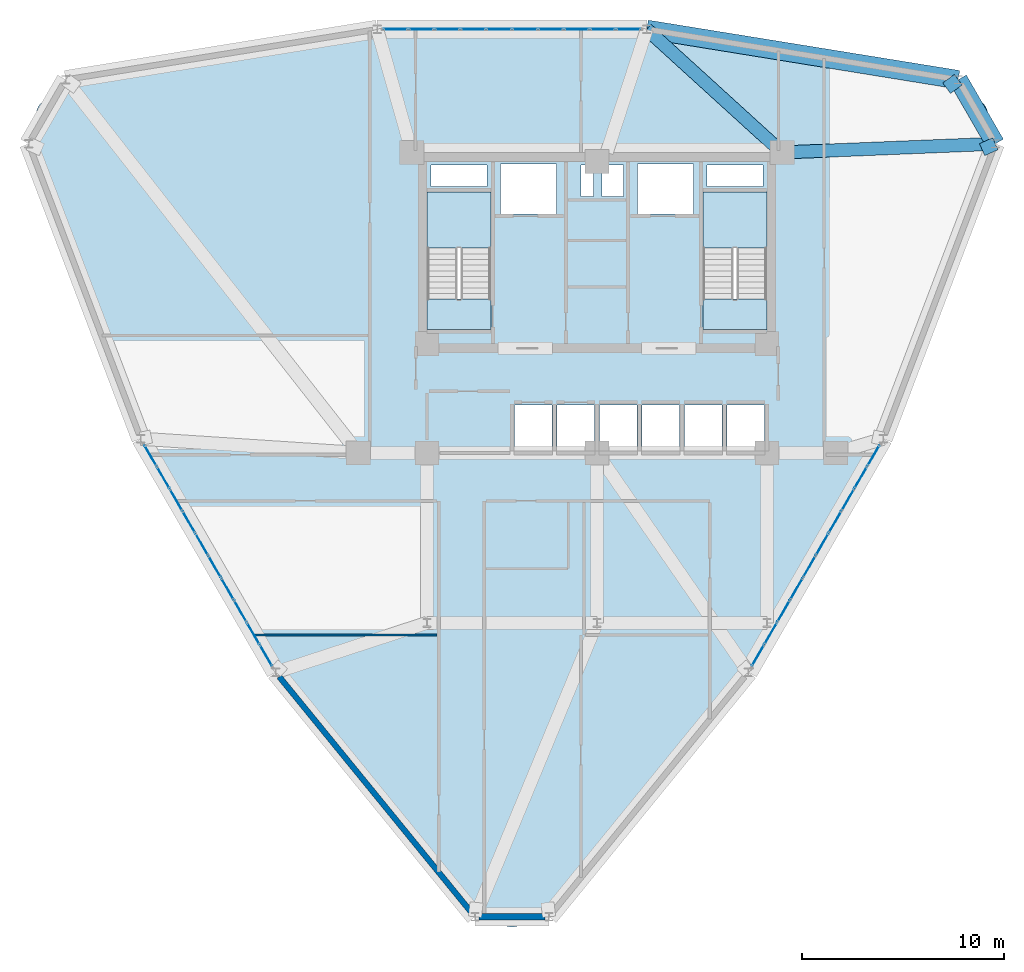
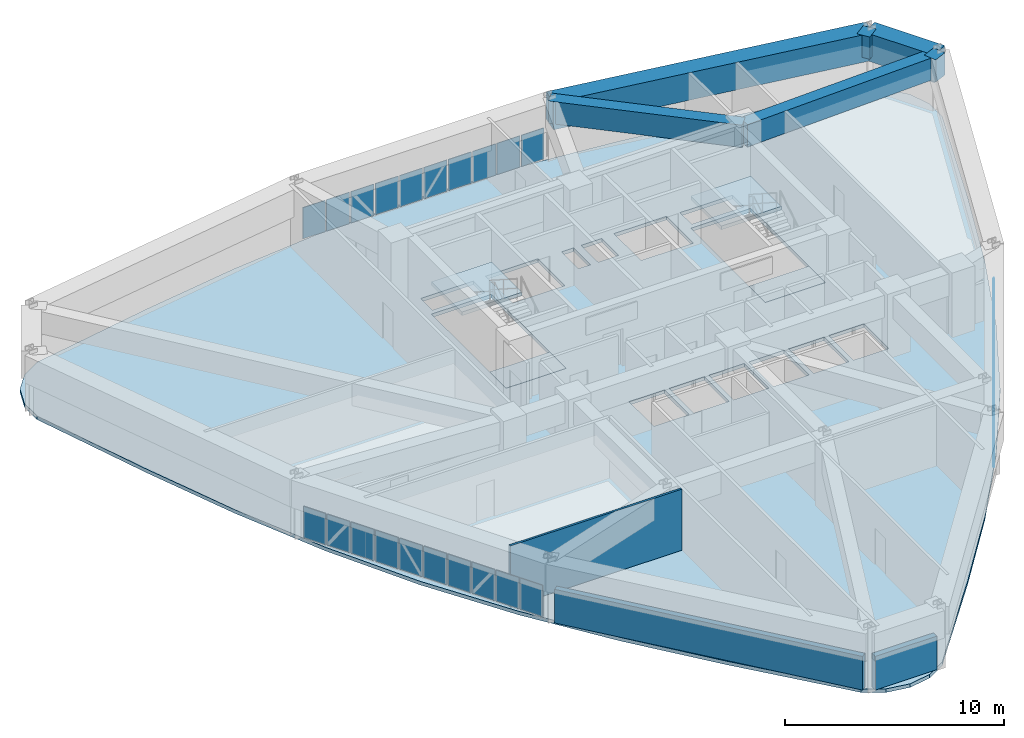
# One storey, part 11 of 16: 30 plates, 6 beams, 5 slabs, 3 walls, 5 elements without a shape of their own.
"""IFC4 building model written with IfcOpenShell, lengths in metres."""

from ifc_helpers import new_model, si_unit, derived_unit, direction, frame, frame_2d, origin, origin_2d, place, context, subcontext, project, spatial, polyline, rectangle, outline, extrude, source, transform, mapped, material, layer, layer_set, material_profile, profile_set, type_object, element, aggregate, save


model = new_model("IFC4")

# Units and contexts
model_context = context("Model", 3, precision=1e-05, world=origin(), true_north=direction((0.0, 1.0)))
body_context = subcontext(model_context, "Body", "Model", "MODEL_VIEW")
ifc_project = project(units=[si_unit("LENGTHUNIT", "METRE"), si_unit("AREAUNIT", "SQUARE_METRE"), si_unit("VOLUMEUNIT", "CUBIC_METRE"), si_unit("PLANEANGLEUNIT", "RADIAN"), si_unit("MASSUNIT", "GRAM", prefix="KILO"), derived_unit("THERMALTRANSMITTANCEUNIT", [(si_unit("POWERUNIT", "WATT"), 1), (si_unit("LENGTHUNIT", "METRE"), -2), (si_unit("THERMODYNAMICTEMPERATUREUNIT", "KELVIN"), -1)])], contexts=[model_context])

# Site, building, storey
site_placement = place(None, origin())
site = spatial("IfcSite", under=ifc_project, at=site_placement, CompositionType="ELEMENT")
building_placement = place(site_placement, origin())
building = spatial("IfcBuilding", under=site, at=building_placement, Name="Korsvarv Bourse and Concert Hall", CompositionType="ELEMENT")
storey_placement = place(building_placement, frame((0.0, 0.0, 143.39990234375)))
storey = spatial("IfcBuildingStorey", under=building, at=storey_placement, Name="L36", CompositionType="ELEMENT", Elevation=143.39990234375)

# Beams
ifc_material_1 = material(Name="Concrete C50/60", Category="concrete")
ifc_material_profile_1 = material_profile(ifc_material_1, rectangle(XDim=0.919921875, YDim=1.530029296875, at=origin_2d()), Name="RC-BM 920x1530")
ifc_profile_set_1 = profile_set([ifc_material_profile_1], Name="Concrete C50/60")
beam_type_1 = type_object("IfcBeamType", Name="BM-TR-154", PredefinedType="BEAM", material=ifc_profile_set_1)
shared_shape_1 = source(origin(), body_context, "Body", "SweptSolid", [
    extrude(rectangle(XDim=0.919921875, YDim=1.530029296875, at=origin_2d()), origin(), (0.0, 0.0, 1.0), 3.659423828125),
])
beam_1_placement = place(storey_placement, frame((55.686279296875, 47.677978515625, 2.635009765625), z_axis=(-0.500049712553, 0.865996700326, 0.0), x_axis=(-0.865996700326, -0.500049712553, 0.0)))
element("IfcBeam", 1, at=beam_1_placement, inside=storey, type_object=beam_type_1, Name="L36 beam B-TR6", PredefinedType="BEAM", context=body_context, shape_type="MappedRepresentation", body=[
    mapped(shared_shape_1, transform((0.0, 0.0, 0.0), scale=1.0)),
])
shared_shape_2 = source(origin(), body_context, "Body", "SweptSolid", [
    extrude(rectangle(XDim=0.919921875, YDim=1.530029296875, at=origin_2d()), origin(), (0.0, 0.0, 1.0), 15.593017578125),
])
beam_2_placement = place(storey_placement, frame((53.8564453125, 50.846923828125, 2.635009765625), z_axis=(-0.987167652814, 0.159687273249, 0.0), x_axis=(-0.159687273249, -0.987167652814, 0.0)))
element("IfcBeam", 2, at=beam_2_placement, inside=storey, type_object=beam_type_1, Name="L36 beam B-TR6", PredefinedType="BEAM", context=body_context, shape_type="MappedRepresentation", body=[
    mapped(shared_shape_2, transform((0.0, 0.0, 0.0), scale=1.0)),
])
ifc_material_profile_2 = material_profile(ifc_material_1, rectangle(XDim=0.64990234375, YDim=1.239990234375, at=origin_2d()), Name="RC-BM 650x1240")
ifc_profile_set_2 = profile_set([ifc_material_profile_2], Name="Concrete C50/60")
beam_type_2 = type_object("IfcBeamType", Name="BM-TR-SPN", PredefinedType="BEAM", material=ifc_profile_set_2)
shared_shape_3 = source(origin(), body_context, "Body", "SweptSolid", [
    extrude(rectangle(XDim=0.64990234375, YDim=1.239990234375, at=origin_2d()), origin(), (0.0, 0.0, 1.0), 10.545166015625),
])
beam_3_placement = place(storey_placement, frame((55.686279296875, 47.677978515625, 2.780029296875), z_axis=(-0.999176062374, -0.040585667153, 0.0), x_axis=(0.040585667153, -0.999176062374, 0.0)))
element("IfcBeam", 3, at=beam_3_placement, inside=storey, type_object=beam_type_2, Name="L36 beam B-TRS", PredefinedType="BEAM", context=body_context, shape_type="MappedRepresentation", body=[
    mapped(shared_shape_3, transform((0.0, 0.0, 0.0), scale=1.0)),
])
shared_shape_4 = source(origin(), body_context, "Body", "SweptSolid", [
    extrude(rectangle(XDim=0.64990234375, YDim=1.239990234375, at=origin_2d()), origin(), (0.0, 0.0, 1.0), 9.0419921875),
])
beam_4_placement = place(storey_placement, frame((38.463623046875, 53.3369140625, 2.780029296875), z_axis=(0.739473183203, -0.673186015395, 0.0), x_axis=(0.673186015395, 0.739473183203, 0.0)))
element("IfcBeam", 4, at=beam_4_placement, inside=storey, type_object=beam_type_2, Name="L36 beam B-TRS", PredefinedType="BEAM", context=body_context, shape_type="MappedRepresentation", body=[
    mapped(shared_shape_4, transform((0.0, 0.0, 0.0), scale=1.0)),
])
shared_shape_5 = source(origin(), body_context, "Body", "SweptSolid", [
    extrude(rectangle(XDim=0.64990234375, YDim=1.239990234375, at=origin_2d()), origin(), (0.0, 0.0, 1.0), 0.713134765625),
])
beam_5_placement = place(storey_placement, frame((55.686279296875, 47.677978515625, 2.780029296875), z_axis=(-0.914895485844, -0.403690785109, 0.0), x_axis=(0.403690785109, -0.914895485844, 0.0)))
element("IfcBeam", 5, at=beam_5_placement, inside=storey, type_object=beam_type_2, Name="L36 beam B-TRS", PredefinedType="BEAM", context=body_context, shape_type="MappedRepresentation", body=[
    mapped(shared_shape_5, transform((0.0, 0.0, 0.0), scale=1.0)),
])
shared_shape_6 = source(origin(), body_context, "Body", "SweptSolid", [
    extrude(rectangle(XDim=0.64990234375, YDim=1.239990234375, at=origin_2d()), origin(), (0.0, 0.0, 1.0), 0.712890625),
])
beam_6_placement = place(storey_placement, frame((53.8564453125, 50.846923828125, 2.780029296875), z_axis=(-0.807296979427, -0.590145394804, 0.0), x_axis=(0.590145394804, -0.807296979427, 0.0)))
element("IfcBeam", 6, at=beam_6_placement, inside=storey, type_object=beam_type_2, Name="L36 beam B-TRS", PredefinedType="BEAM", context=body_context, shape_type="MappedRepresentation", body=[
    mapped(shared_shape_6, transform((0.0, 0.0, 0.0), scale=1.0)),
])

# Slabs
ifc_material_2 = material(Name="Precast concrete C45/55", Category="concrete")
ifc_layer_1 = layer(ifc_material_2, 0.199951171875)
ifc_layer_set_1 = layer_set([ifc_layer_1], Name="Precast concrete C45/55")
slab_type_1 = type_object("IfcSlabType", Name="SLB-FLND-T", PredefinedType="LANDING", material=ifc_layer_set_1)
slab_1_placement = place(storey_placement, frame((0.0, 0.0, -0.199951171875)))
element("IfcSlab", 7, at=slab_1_placement, inside=storey, type_object=slab_type_1, Name="L36 Stair ST-T1 Floor Landing Slab", PredefinedType="LANDING", context=body_context, shape_type="SweptSolid", body=[
    extrude(outline(polyline([(30.760009765625, 38.5), (30.760009765625, 40.0), (27.60009765625, 40.0), (27.60009765625, 38.5), (30.760009765625, 38.5)])), origin(), (0.0, 0.0, 1.0), 0.199951171875),
])
slab_2_placement = place(storey_placement, frame((0.0, 0.0, -0.199951171875)))
element("IfcSlab", 8, at=slab_2_placement, inside=storey, type_object=slab_type_1, Name="L36 Stair ST-T2 Floor Landing Slab", PredefinedType="LANDING", context=body_context, shape_type="SweptSolid", body=[
    extrude(outline(polyline([(44.39990234375, 38.5), (44.39990234375, 40.0), (41.239990234375, 40.0), (41.239990234375, 38.5), (44.39990234375, 38.5)])), origin(), (0.0, 0.0, 1.0), 0.199951171875),
])

# Stair, slab
stair_type = type_object("IfcStairType", Name="STR-TYPE-04", PredefinedType="HALF_TURN_STAIR", material=ifc_material_2)
stair_1_placement = place(storey_placement, origin())
stair_1 = element("IfcStair", 9, at=stair_1_placement, inside=storey, type_object=stair_type, Name="L36 Tower West Exit Stair ST-T1", PredefinedType="HALF_TURN_STAIR")
ifc_layer_2 = layer(ifc_material_2, 0.199951171875)
ifc_layer_set_2 = layer_set([ifc_layer_2], Name="Precast concrete C45/55")
slab_type_2 = type_object("IfcSlabType", Name="SLB-ST-LND", PredefinedType="LANDING", material=ifc_layer_set_2)
slab_3_placement = place(storey_placement, frame((0.0, 0.0, 1.60009765625)))
slab_3 = element("IfcSlab", 10, at=slab_3_placement, type_object=slab_type_2, Name="ST-T1 landing 1", PredefinedType="LANDING", context=body_context, shape_type="SweptSolid", body=[
    extrude(outline(polyline([(30.760009765625, 42.52001953125), (30.760009765625, 45.300048828125), (27.60009765625, 45.300048828125), (27.60009765625, 42.52001953125), (30.760009765625, 42.52001953125)])), origin(), (0.0, 0.0, 1.0), 0.199951171875),
])
aggregate(stair_1, [slab_3])

stair_2_placement = place(storey_placement, origin())
stair_2 = element("IfcStair", 11, at=stair_2_placement, inside=storey, type_object=stair_type, Name="L36 Tower East Exit Stair ST-T2", PredefinedType="HALF_TURN_STAIR")
slab_4_placement = place(storey_placement, frame((0.0, 0.0, 1.60009765625)))
slab_4 = element("IfcSlab", 12, at=slab_4_placement, type_object=slab_type_2, Name="ST-T2 landing 1", PredefinedType="LANDING", context=body_context, shape_type="SweptSolid", body=[
    extrude(outline(polyline([(44.39990234375, 42.52001953125), (44.39990234375, 45.300048828125), (41.239990234375, 45.300048828125), (41.239990234375, 42.52001953125), (44.39990234375, 42.52001953125)])), origin(), (0.0, 0.0, 1.0), 0.199951171875),
])
aggregate(stair_2, [slab_4])

# Slab
ifc_material_3 = material(Name="Concrete C45/55", Category="concrete")
ifc_layer_3 = layer(ifc_material_3, 0.199951171875)
ifc_layer_set_3 = layer_set([ifc_layer_3], Name="Concrete C45/55")
slab_type_3 = type_object("IfcSlabType", Name="SLB-TW2", PredefinedType="FLOOR", material=ifc_layer_set_3)
slab_5_placement = place(storey_placement, frame((0.0, 0.0, -0.199951171875)))
element("IfcSlab", 13, at=slab_5_placement, inside=storey, type_object=slab_type_3, Name="L36 tower structural floor slab", PredefinedType="FLOOR", context=body_context, shape_type="SweptSolid", body=[
    extrude(outline(polyline([(55.160888671875, 46.032958984375), (53.404052734375, 41.13525390625), (51.532958984375, 36.328857421875), (49.444091796875, 31.668212890625), (47.06689453125, 27.185546875), (44.373291015625, 22.8857421875), (41.381591796875, 18.746337890625), (38.15478515625, 14.722900390625), (34.79150390625, 10.75244140625), (34.7890625, 10.749267578125), (33.944580078125, 9.742919921875), (32.941162109375, 9.16357421875), (31.800048828125, 8.96240234375), (30.658935546875, 9.16357421875), (29.655517578125, 9.742919921875), (28.81103515625, 10.749267578125), (28.808349609375, 10.75244140625), (25.4453125, 14.722900390625), (22.218505859375, 18.746337890625), (19.2265625, 22.8857421875), (16.533203125, 27.185546875), (14.156005859375, 31.668212890625), (12.067138671875, 36.328857421875), (10.196044921875, 41.13525390625), (8.439208984375, 46.032958984375), (8.437744140625, 46.036865234375), (7.98828125, 47.271484375), (7.98828125, 48.429931640625), (8.384765625, 49.518798828125), (9.12939453125, 50.406494140625), (10.1328125, 50.985595703125), (11.4267578125, 51.2138671875), (11.430908203125, 51.214599609375), (16.55078125, 52.14208984375), (21.648681640625, 52.9248046875), (26.729248046875, 53.446044921875), (31.800048828125, 53.628662109375), (36.87060546875, 53.446044921875), (41.951171875, 52.9248046875), (47.04931640625, 52.14208984375), (52.169189453125, 51.214599609375), (52.173095703125, 51.2138671875), (53.467041015625, 50.985595703125), (54.470458984375, 50.406494140625), (55.21533203125, 49.518798828125), (55.611572265625, 48.429931640625), (55.611572265625, 47.271484375), (55.162109375, 46.036865234375), (55.160888671875, 46.032958984375)]), holes=[polyline([(30.760009765625, 38.5), (30.760009765625, 45.300048828125), (27.60009765625, 45.300048828125), (27.60009765625, 38.5), (30.760009765625, 38.5)]), polyline([(44.39990234375, 38.5), (44.39990234375, 45.300048828125), (41.239990234375, 45.300048828125), (41.239990234375, 38.5), (44.39990234375, 38.5)]), polyline([(31.239990234375, 44.219970703125), (34.0, 44.219970703125), (34.0, 46.679931640625), (31.239990234375, 46.679931640625), (31.239990234375, 44.219970703125)]), polyline([(38.0, 44.219970703125), (40.760009765625, 44.219970703125), (40.760009765625, 46.679931640625), (38.0, 46.679931640625), (38.0, 44.219970703125)]), polyline([(31.919921875, 32.52001953125), (33.780029296875, 32.52001953125), (33.780029296875, 34.780029296875), (31.919921875, 34.780029296875), (31.919921875, 32.52001953125)]), polyline([(34.02001953125, 32.52001953125), (35.8798828125, 32.52001953125), (35.8798828125, 34.780029296875), (34.02001953125, 34.780029296875), (34.02001953125, 32.52001953125)]), polyline([(36.1201171875, 32.52001953125), (37.97998046875, 32.52001953125), (37.97998046875, 34.780029296875), (36.1201171875, 34.780029296875), (36.1201171875, 32.52001953125)]), polyline([(38.219970703125, 32.52001953125), (40.080078125, 32.52001953125), (40.080078125, 34.780029296875), (38.219970703125, 34.780029296875), (38.219970703125, 32.52001953125)]), polyline([(40.320068359375, 32.52001953125), (42.179931640625, 32.52001953125), (42.179931640625, 34.780029296875), (40.320068359375, 34.780029296875), (40.320068359375, 32.52001953125)]), polyline([(42.419921875, 32.52001953125), (44.280029296875, 32.52001953125), (44.280029296875, 34.780029296875), (42.419921875, 34.780029296875), (42.419921875, 32.52001953125)]), polyline([(27.800048828125, 45.56005859375), (30.56005859375, 45.56005859375), (30.56005859375, 46.6201171875), (27.800048828125, 46.6201171875), (27.800048828125, 45.56005859375)]), polyline([(41.43994140625, 45.56005859375), (44.199951171875, 45.56005859375), (44.199951171875, 46.6201171875), (41.43994140625, 46.6201171875), (41.43994140625, 45.56005859375)]), polyline([(35.199951171875, 45.080078125), (35.840087890625, 45.080078125), (35.840087890625, 46.6201171875), (35.199951171875, 46.6201171875), (35.199951171875, 45.080078125)]), polyline([(36.239990234375, 45.080078125), (37.320068359375, 45.080078125), (37.320068359375, 46.6201171875), (36.239990234375, 46.6201171875), (36.239990234375, 45.080078125)])]), origin(), (0.0, 0.0, 1.0), 0.199951171875),
])

# Curtain wall, plates
ifc_material_4 = material(Name="Anodised aluminium and triple low-E glazing", Category="glass")
ifc_layer_4 = layer(ifc_material_4, 0.2099609375)
ifc_layer_set_4 = layer_set([ifc_layer_4], Name="Anodised aluminium and triple low-E glazing")
curtain_wall_type = type_object("IfcCurtainWallType", Name="CW-SYS-2", PredefinedType="NOTDEFINED", material=ifc_layer_set_4)
curtain_wall_1_placement = place(storey_placement, origin())
curtain_wall_1 = element("IfcCurtainWall", 14, at=curtain_wall_1_placement, inside=storey, type_object=curtain_wall_type, Name="L36 CW2 curtain wall CW-L36-F03", PredefinedType="NOTDEFINED")
ifc_material_5 = material(Name="Tempered triple insulated low-E architectural glass", Category="glass")
ifc_layer_5 = layer(ifc_material_5, 0.0380859375)
ifc_layer_set_5 = layer_set([ifc_layer_5], Name="Tempered triple insulated low-E architectural glass")
plate_type_1 = type_object("IfcPlateType", Name="CWP-VIS2", PredefinedType="CURTAIN_PANEL", material=ifc_layer_set_5)
shared_shape_7 = source(origin(), body_context, "Body", "SweptSolid", [
    extrude(rectangle(XDim=1.176513671875, YDim=0.0380859375, at=origin_2d()), origin(), (0.0, 0.0, 1.0), 1.739990234375),
])
plate_1_placement = place(storey_placement, frame((37.54931640625, 53.3369140625, 0.06494140625), z_axis=(0.0, 0.0, 1.0), x_axis=(-1.0, 0.0, 0.0)))
plate_1 = element("IfcPlate", 15, at=plate_1_placement, type_object=plate_type_1, Name="CW2 faceted panel 1.1", PredefinedType="CURTAIN_PANEL", context=body_context, shape_type="MappedRepresentation", body=[
    mapped(shared_shape_7, transform((0.0, 0.0, 0.0), scale=1.0)),
])
plate_2_placement = place(storey_placement, frame((26.050537109375, 53.3369140625, 0.06494140625), z_axis=(0.0, 0.0, 1.0), x_axis=(-1.0, 0.0, 0.0)))
plate_2 = element("IfcPlate", 16, at=plate_2_placement, type_object=plate_type_1, Name="CW2 faceted panel 10.1", PredefinedType="CURTAIN_PANEL", context=body_context, shape_type="MappedRepresentation", body=[
    mapped(shared_shape_7, transform((0.0, 0.0, 0.0), scale=1.0)),
])
ifc_material_6 = material(Name="Insulated spandrel glass", Category="glass")
ifc_layer_6 = layer(ifc_material_6, 0.031982421875)
ifc_layer_set_6 = layer_set([ifc_layer_6], Name="Insulated spandrel glass")
plate_type_2 = type_object("IfcPlateType", Name="CWP-SPD1", PredefinedType="CURTAIN_PANEL", material=ifc_layer_set_6)
shared_shape_8 = source(origin(), body_context, "Body", "SweptSolid", [
    extrude(rectangle(XDim=1.21142578125, YDim=0.031982421875, at=origin_2d()), origin(), (0.0, 0.0, 1.0), 1.739990234375),
])
plate_3_placement = place(storey_placement, frame((36.285400390625, 53.3369140625, 0.06494140625), z_axis=(0.0, 0.0, 1.0), x_axis=(-1.0, 0.0, 0.0)))
plate_3 = element("IfcPlate", 17, at=plate_3_placement, type_object=plate_type_2, Name="CW2 spandrel shadow-box panel 2.1", PredefinedType="CURTAIN_PANEL", context=body_context, shape_type="MappedRepresentation", body=[
    mapped(shared_shape_8, transform((0.0, 0.0, 0.0), scale=1.0)),
])
plate_4_placement = place(storey_placement, frame((32.440673828125, 53.3369140625, 0.06494140625), z_axis=(0.0, 0.0, 1.0), x_axis=(-1.0, 0.0, 0.0)))
plate_4 = element("IfcPlate", 18, at=plate_4_placement, type_object=plate_type_2, Name="CW2 spandrel shadow-box panel 5.1", PredefinedType="CURTAIN_PANEL", context=body_context, shape_type="MappedRepresentation", body=[
    mapped(shared_shape_8, transform((0.0, 0.0, 0.0), scale=1.0)),
])
plate_5_placement = place(storey_placement, frame((28.59619140625, 53.3369140625, 0.06494140625), z_axis=(0.0, 0.0, 1.0), x_axis=(-1.0, 0.0, 0.0)))
plate_5 = element("IfcPlate", 19, at=plate_5_placement, type_object=plate_type_2, Name="CW2 spandrel shadow-box panel 8.1", PredefinedType="CURTAIN_PANEL", context=body_context, shape_type="MappedRepresentation", body=[
    mapped(shared_shape_8, transform((0.0, 0.0, 0.0), scale=1.0)),
])
shared_shape_9 = source(origin(), body_context, "Body", "SweptSolid", [
    extrude(rectangle(XDim=1.21142578125, YDim=0.0380859375, at=origin_2d()), origin(), (0.0, 0.0, 1.0), 1.739990234375),
])
plate_6_placement = place(storey_placement, frame((35.00390625, 53.3369140625, 0.06494140625), z_axis=(0.0, 0.0, 1.0), x_axis=(-1.0, 0.0, 0.0)))
plate_6 = element("IfcPlate", 20, at=plate_6_placement, type_object=plate_type_1, Name="CW2 faceted panel 3.1", PredefinedType="CURTAIN_PANEL", context=body_context, shape_type="MappedRepresentation", body=[
    mapped(shared_shape_9, transform((0.0, 0.0, 0.0), scale=1.0)),
])
plate_7_placement = place(storey_placement, frame((33.722412109375, 53.3369140625, 0.06494140625), z_axis=(0.0, 0.0, 1.0), x_axis=(-1.0, 0.0, 0.0)))
plate_7 = element("IfcPlate", 21, at=plate_7_placement, type_object=plate_type_1, Name="CW2 faceted panel 4.1", PredefinedType="CURTAIN_PANEL", context=body_context, shape_type="MappedRepresentation", body=[
    mapped(shared_shape_9, transform((0.0, 0.0, 0.0), scale=1.0)),
])
plate_8_placement = place(storey_placement, frame((31.1591796875, 53.3369140625, 0.06494140625), z_axis=(0.0, 0.0, 1.0), x_axis=(-1.0, 0.0, 0.0)))
plate_8 = element("IfcPlate", 22, at=plate_8_placement, type_object=plate_type_1, Name="CW2 faceted panel 6.1", PredefinedType="CURTAIN_PANEL", context=body_context, shape_type="MappedRepresentation", body=[
    mapped(shared_shape_9, transform((0.0, 0.0, 0.0), scale=1.0)),
])
plate_9_placement = place(storey_placement, frame((29.877685546875, 53.3369140625, 0.06494140625), z_axis=(0.0, 0.0, 1.0), x_axis=(-1.0, 0.0, 0.0)))
plate_9 = element("IfcPlate", 23, at=plate_9_placement, type_object=plate_type_1, Name="CW2 faceted panel 7.1", PredefinedType="CURTAIN_PANEL", context=body_context, shape_type="MappedRepresentation", body=[
    mapped(shared_shape_9, transform((0.0, 0.0, 0.0), scale=1.0)),
])
plate_10_placement = place(storey_placement, frame((27.314697265625, 53.3369140625, 0.06494140625), z_axis=(0.0, 0.0, 1.0), x_axis=(-1.0, 0.0, 0.0)))
plate_10 = element("IfcPlate", 24, at=plate_10_placement, type_object=plate_type_1, Name="CW2 faceted panel 9.1", PredefinedType="CURTAIN_PANEL", context=body_context, shape_type="MappedRepresentation", body=[
    mapped(shared_shape_9, transform((0.0, 0.0, 0.0), scale=1.0)),
])
aggregate(curtain_wall_1, [plate_1, plate_3, plate_6, plate_7, plate_4, plate_8, plate_9, plate_5, plate_10, plate_2])

curtain_wall_2_placement = place(storey_placement, origin())
curtain_wall_2 = element("IfcCurtainWall", 25, at=curtain_wall_2_placement, inside=storey, type_object=curtain_wall_type, Name="L36 CW2 curtain wall CW-L36-F07", PredefinedType="NOTDEFINED")
shared_shape_10 = source(origin(), body_context, "Body", "SweptSolid", [
    extrude(rectangle(XDim=1.166015625, YDim=0.0380859375, at=origin_2d()), origin(), (0.0, 0.0, 1.0), 1.739990234375),
])
plate_11_placement = place(storey_placement, frame((13.934814453125, 32.26953125, 0.06494140625), z_axis=(0.0, 0.0, 1.0), x_axis=(0.500000329688, -0.866025213439, 0.0)))
plate_11 = element("IfcPlate", 26, at=plate_11_placement, type_object=plate_type_1, Name="CW2 faceted panel 1.1", PredefinedType="CURTAIN_PANEL", context=body_context, shape_type="MappedRepresentation", body=[
    mapped(shared_shape_10, transform((0.0, 0.0, 0.0), scale=1.0)),
])
plate_12_placement = place(storey_placement, frame((19.63671875, 22.3935546875, 0.06494140625), z_axis=(0.0, 0.0, 1.0), x_axis=(0.500000329688, -0.866025213439, 0.0)))
plate_12 = element("IfcPlate", 27, at=plate_12_placement, type_object=plate_type_1, Name="CW2 faceted panel 10.1", PredefinedType="CURTAIN_PANEL", context=body_context, shape_type="MappedRepresentation", body=[
    mapped(shared_shape_10, transform((0.0, 0.0, 0.0), scale=1.0)),
])

curtain_wall_3_placement = place(storey_placement, origin())
curtain_wall_3 = element("IfcCurtainWall", 28, at=curtain_wall_3_placement, inside=storey, type_object=curtain_wall_type, Name="L36 CW2 curtain wall CW-L36-F11", PredefinedType="NOTDEFINED")
plate_13_placement = place(storey_placement, frame((43.96337890625, 22.3935546875, 0.06494140625), z_axis=(0.0, 0.0, 1.0), x_axis=(0.500000329688, 0.866025213439, 0.0)))
plate_13 = element("IfcPlate", 29, at=plate_13_placement, type_object=plate_type_1, Name="CW2 faceted panel 1.1", PredefinedType="CURTAIN_PANEL", context=body_context, shape_type="MappedRepresentation", body=[
    mapped(shared_shape_10, transform((0.0, 0.0, 0.0), scale=1.0)),
])
plate_14_placement = place(storey_placement, frame((49.665283203125, 32.26953125, 0.06494140625), z_axis=(0.0, 0.0, 1.0), x_axis=(0.500000329688, 0.866025213439, 0.0)))
plate_14 = element("IfcPlate", 30, at=plate_14_placement, type_object=plate_type_1, Name="CW2 faceted panel 10.1", PredefinedType="CURTAIN_PANEL", context=body_context, shape_type="MappedRepresentation", body=[
    mapped(shared_shape_10, transform((0.0, 0.0, 0.0), scale=1.0)),
])

# Plate
shared_shape_11 = source(origin(), body_context, "Body", "SweptSolid", [
    extrude(rectangle(XDim=1.200927734375, YDim=0.031982421875, at=origin_2d()), origin(), (0.0, 0.0, 1.0), 1.739990234375),
])
plate_15_placement = place(storey_placement, frame((14.5615234375, 31.183837890625, 0.06494140625), z_axis=(0.0, 0.0, 1.0), x_axis=(0.500000329688, -0.866025213439, 0.0)))
plate_15 = element("IfcPlate", 31, at=plate_15_placement, type_object=plate_type_2, Name="CW2 spandrel shadow-box panel 2.1", PredefinedType="CURTAIN_PANEL", context=body_context, shape_type="MappedRepresentation", body=[
    mapped(shared_shape_11, transform((0.0, 0.0, 0.0), scale=1.0)),
])

plate_16_placement = place(storey_placement, frame((16.468017578125, 27.8818359375, 0.06494140625), z_axis=(0.0, 0.0, 1.0), x_axis=(0.500000329688, -0.866025213439, 0.0)))
plate_16 = element("IfcPlate", 32, at=plate_16_placement, type_object=plate_type_2, Name="CW2 spandrel shadow-box panel 5.1", PredefinedType="CURTAIN_PANEL", context=body_context, shape_type="MappedRepresentation", body=[
    mapped(shared_shape_11, transform((0.0, 0.0, 0.0), scale=1.0)),
])

plate_17_placement = place(storey_placement, frame((18.37451171875, 24.579833984375, 0.06494140625), z_axis=(0.0, 0.0, 1.0), x_axis=(0.500000329688, -0.866025213439, 0.0)))
plate_17 = element("IfcPlate", 33, at=plate_17_placement, type_object=plate_type_2, Name="CW2 spandrel shadow-box panel 8.1", PredefinedType="CURTAIN_PANEL", context=body_context, shape_type="MappedRepresentation", body=[
    mapped(shared_shape_11, transform((0.0, 0.0, 0.0), scale=1.0)),
])

plate_18_placement = place(storey_placement, frame((44.590087890625, 23.47900390625, 0.06494140625), z_axis=(0.0, 0.0, 1.0), x_axis=(0.500000329688, 0.866025213439, 0.0)))
plate_18 = element("IfcPlate", 34, at=plate_18_placement, type_object=plate_type_2, Name="CW2 spandrel shadow-box panel 2.1", PredefinedType="CURTAIN_PANEL", context=body_context, shape_type="MappedRepresentation", body=[
    mapped(shared_shape_11, transform((0.0, 0.0, 0.0), scale=1.0)),
])

plate_19_placement = place(storey_placement, frame((46.49658203125, 26.78125, 0.06494140625), z_axis=(0.0, 0.0, 1.0), x_axis=(0.500000329688, 0.866025213439, 0.0)))
plate_19 = element("IfcPlate", 35, at=plate_19_placement, type_object=plate_type_2, Name="CW2 spandrel shadow-box panel 5.1", PredefinedType="CURTAIN_PANEL", context=body_context, shape_type="MappedRepresentation", body=[
    mapped(shared_shape_11, transform((0.0, 0.0, 0.0), scale=1.0)),
])

plate_20_placement = place(storey_placement, frame((48.403076171875, 30.083251953125, 0.06494140625), z_axis=(0.0, 0.0, 1.0), x_axis=(0.500000329688, 0.866025213439, 0.0)))
plate_20 = element("IfcPlate", 36, at=plate_20_placement, type_object=plate_type_2, Name="CW2 spandrel shadow-box panel 8.1", PredefinedType="CURTAIN_PANEL", context=body_context, shape_type="MappedRepresentation", body=[
    mapped(shared_shape_11, transform((0.0, 0.0, 0.0), scale=1.0)),
])

shared_shape_12 = source(origin(), body_context, "Body", "SweptSolid", [
    extrude(rectangle(XDim=1.200927734375, YDim=0.0380859375, at=origin_2d()), origin(), (0.0, 0.0, 1.0), 1.739990234375),
])
plate_21_placement = place(storey_placement, frame((15.197021484375, 30.083251953125, 0.06494140625), z_axis=(0.0, 0.0, 1.0), x_axis=(0.500000329688, -0.866025213439, 0.0)))
plate_21 = element("IfcPlate", 37, at=plate_21_placement, type_object=plate_type_1, Name="CW2 faceted panel 3.1", PredefinedType="CURTAIN_PANEL", context=body_context, shape_type="MappedRepresentation", body=[
    mapped(shared_shape_12, transform((0.0, 0.0, 0.0), scale=1.0)),
])

plate_22_placement = place(storey_placement, frame((15.83251953125, 28.982666015625, 0.06494140625), z_axis=(0.0, 0.0, 1.0), x_axis=(0.500000329688, -0.866025213439, 0.0)))
plate_22 = element("IfcPlate", 38, at=plate_22_placement, type_object=plate_type_1, Name="CW2 faceted panel 4.1", PredefinedType="CURTAIN_PANEL", context=body_context, shape_type="MappedRepresentation", body=[
    mapped(shared_shape_12, transform((0.0, 0.0, 0.0), scale=1.0)),
])

plate_23_placement = place(storey_placement, frame((17.103515625, 26.78125, 0.06494140625), z_axis=(0.0, 0.0, 1.0), x_axis=(0.500000329688, -0.866025213439, 0.0)))
plate_23 = element("IfcPlate", 39, at=plate_23_placement, type_object=plate_type_1, Name="CW2 faceted panel 6.1", PredefinedType="CURTAIN_PANEL", context=body_context, shape_type="MappedRepresentation", body=[
    mapped(shared_shape_12, transform((0.0, 0.0, 0.0), scale=1.0)),
])

plate_24_placement = place(storey_placement, frame((17.739013671875, 25.680419921875, 0.06494140625), z_axis=(0.0, 0.0, 1.0), x_axis=(0.500000329688, -0.866025213439, 0.0)))
plate_24 = element("IfcPlate", 40, at=plate_24_placement, type_object=plate_type_1, Name="CW2 faceted panel 7.1", PredefinedType="CURTAIN_PANEL", context=body_context, shape_type="MappedRepresentation", body=[
    mapped(shared_shape_12, transform((0.0, 0.0, 0.0), scale=1.0)),
])

plate_25_placement = place(storey_placement, frame((19.010009765625, 23.47900390625, 0.06494140625), z_axis=(0.0, 0.0, 1.0), x_axis=(0.500000329688, -0.866025213439, 0.0)))
plate_25 = element("IfcPlate", 41, at=plate_25_placement, type_object=plate_type_1, Name="CW2 faceted panel 9.1", PredefinedType="CURTAIN_PANEL", context=body_context, shape_type="MappedRepresentation", body=[
    mapped(shared_shape_12, transform((0.0, 0.0, 0.0), scale=1.0)),
])

aggregate(curtain_wall_2, [plate_11, plate_15, plate_21, plate_22, plate_16, plate_23, plate_24, plate_17, plate_25, plate_12])

plate_26_placement = place(storey_placement, frame((45.2255859375, 24.579833984375, 0.06494140625), z_axis=(0.0, 0.0, 1.0), x_axis=(0.500000329688, 0.866025213439, 0.0)))
plate_26 = element("IfcPlate", 42, at=plate_26_placement, type_object=plate_type_1, Name="CW2 faceted panel 3.1", PredefinedType="CURTAIN_PANEL", context=body_context, shape_type="MappedRepresentation", body=[
    mapped(shared_shape_12, transform((0.0, 0.0, 0.0), scale=1.0)),
])

plate_27_placement = place(storey_placement, frame((45.861083984375, 25.680419921875, 0.06494140625), z_axis=(0.0, 0.0, 1.0), x_axis=(0.500000329688, 0.866025213439, 0.0)))
plate_27 = element("IfcPlate", 43, at=plate_27_placement, type_object=plate_type_1, Name="CW2 faceted panel 4.1", PredefinedType="CURTAIN_PANEL", context=body_context, shape_type="MappedRepresentation", body=[
    mapped(shared_shape_12, transform((0.0, 0.0, 0.0), scale=1.0)),
])

plate_28_placement = place(storey_placement, frame((47.132080078125, 27.8818359375, 0.06494140625), z_axis=(0.0, 0.0, 1.0), x_axis=(0.500000329688, 0.866025213439, 0.0)))
plate_28 = element("IfcPlate", 44, at=plate_28_placement, type_object=plate_type_1, Name="CW2 faceted panel 6.1", PredefinedType="CURTAIN_PANEL", context=body_context, shape_type="MappedRepresentation", body=[
    mapped(shared_shape_12, transform((0.0, 0.0, 0.0), scale=1.0)),
])

plate_29_placement = place(storey_placement, frame((47.767578125, 28.982666015625, 0.06494140625), z_axis=(0.0, 0.0, 1.0), x_axis=(0.500000329688, 0.866025213439, 0.0)))
plate_29 = element("IfcPlate", 45, at=plate_29_placement, type_object=plate_type_1, Name="CW2 faceted panel 7.1", PredefinedType="CURTAIN_PANEL", context=body_context, shape_type="MappedRepresentation", body=[
    mapped(shared_shape_12, transform((0.0, 0.0, 0.0), scale=1.0)),
])

plate_30_placement = place(storey_placement, frame((49.03857421875, 31.183837890625, 0.06494140625), z_axis=(0.0, 0.0, 1.0), x_axis=(0.500000329688, 0.866025213439, 0.0)))
plate_30 = element("IfcPlate", 46, at=plate_30_placement, type_object=plate_type_1, Name="CW2 faceted panel 9.1", PredefinedType="CURTAIN_PANEL", context=body_context, shape_type="MappedRepresentation", body=[
    mapped(shared_shape_12, transform((0.0, 0.0, 0.0), scale=1.0)),
])

aggregate(curtain_wall_3, [plate_13, plate_18, plate_26, plate_27, plate_19, plate_28, plate_29, plate_20, plate_30, plate_14])

# Walls
ifc_material_7 = material(Name="Precast concrete C45/55 with terracotta rainscreen", Category="concrete")
ifc_layer_7 = layer(ifc_material_7, 0.300048828125)
ifc_layer_set_7 = layer_set([ifc_layer_7], Name="Precast concrete C45/55 with terracotta rainscreen")
wall_type_1 = type_object("IfcWallType", Name="WL-EXT-TC1", PredefinedType="SOLIDWALL", material=ifc_layer_set_7)
wall_1_placement = place(storey_placement, frame((30.181396484375, 9.47509765625, 0.0), z_axis=(0.0, 0.0, 1.0), x_axis=(1.0, 0.0, 0.0)))
element("IfcWall", 47, at=wall_1_placement, inside=storey, type_object=wall_type_1, Name="L36 terracotta exterior wall EW-L36-B09", PredefinedType="SOLIDWALL", context=body_context, shape_type="SweptSolid", body=[
    extrude(rectangle(XDim=3.2373046875, YDim=0.300048828125, at=frame_2d((1.61865234375, 0.0))), origin(), (0.0, 0.0, 1.0), 1.8701171875),
])
ifc_material_8 = material(Name="Precast concrete C45/55 with fluted terracotta pier", Category="concrete")
ifc_layer_8 = layer(ifc_material_8, 0.280029296875)
ifc_layer_set_8 = layer_set([ifc_layer_8], Name="Precast concrete C45/55 with fluted terracotta pier")
wall_type_2 = type_object("IfcWallType", Name="WL-EXT-TC2", PredefinedType="SOLIDWALL", material=ifc_layer_set_8)
wall_2_placement = place(storey_placement, frame((20.299072265625, 21.337890625, 0.0), z_axis=(0.0, 0.0, 1.0), x_axis=(0.631872666528, -0.775072211665, 0.0)))
element("IfcWall", 48, at=wall_2_placement, inside=storey, type_object=wall_type_2, Name="L36 terracotta exterior wall EW-L36-B08", PredefinedType="SOLIDWALL", context=body_context, shape_type="SweptSolid", body=[
    extrude(rectangle(XDim=15.0185546875, YDim=0.280029296875, at=frame_2d((7.50927734375, 0.0))), origin(), (0.0, 0.0, 1.0), 1.8701171875),
])
ifc_material_9 = material(Name="Demountable acoustic glass and aluminium dealing partition", Category="aluminium")
ifc_layer_9 = layer(ifc_material_9, 0.110107421875)
ifc_layer_set_9 = layer_set([ifc_layer_9], Name="Demountable acoustic glass and aluminium dealing partition")
wall_type_3 = type_object("IfcWallType", Name="WL-INT-MOV", PredefinedType="MOVABLE", material=ifc_layer_set_9)
wall_3_placement = place(storey_placement, frame((19.07275390625, 23.405029296875, 0.0), z_axis=(0.0, 0.0, 1.0), x_axis=(1.0, 0.0, 0.0)))
element("IfcWall", 49, at=wall_3_placement, inside=storey, type_object=wall_type_3, Name="L36 interior partition wall W-L36-TCOR-14", PredefinedType="MOVABLE", context=body_context, shape_type="SweptSolid", body=[
    extrude(rectangle(XDim=9.020263671875, YDim=0.110107421875, at=frame_2d((4.51025390625, 0.0))), origin(), (0.0, 0.0, 1.0), 3.400146484375),
])

save(model, "model.ifc")
